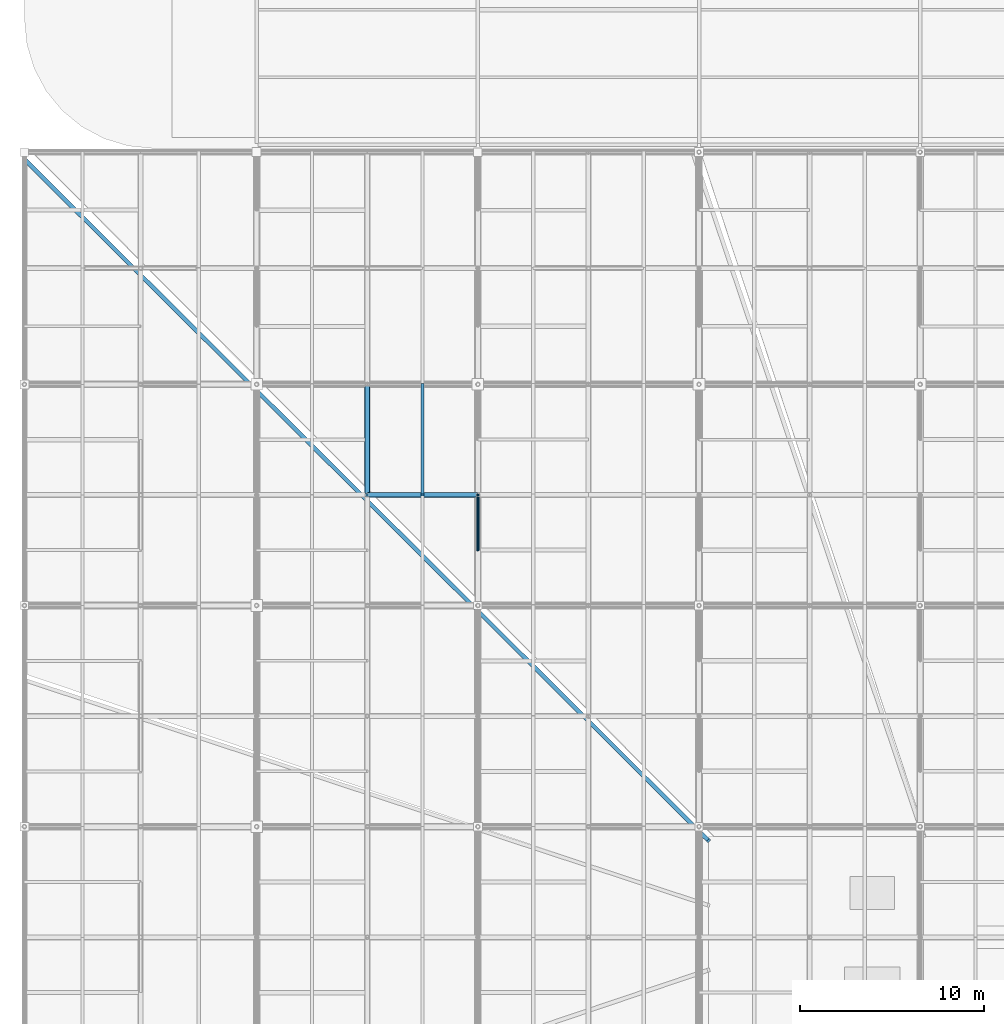
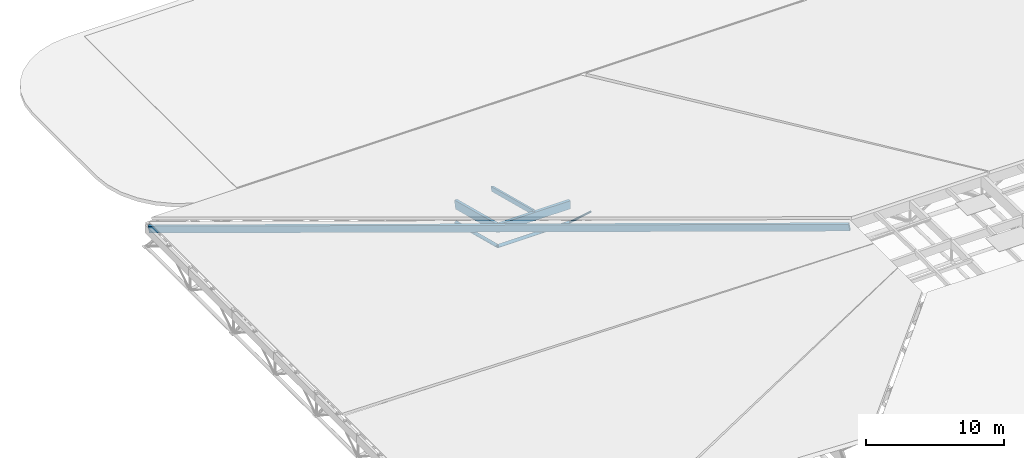
# One storey, part 49 of 80: 7 members.
"""IFC4 building model written with IfcOpenShell, lengths in metres."""

from ifc_helpers import new_model, si_unit, direction, frame, origin, origin_2d, place, context, subcontext, project, spatial, rectangle, hollow_circle, extrude, material, material_profile, profile_set, type_object, element, save


model = new_model("IFC4")

# Units and contexts
model_context = context("Model", 3, precision=1e-05, world=origin(), true_north=direction((0.0, 1.0)))
body_context = subcontext(model_context, "Body", "Model", "MODEL_VIEW")
ifc_project = project(units=[si_unit("LENGTHUNIT", "METRE"), si_unit("AREAUNIT", "SQUARE_METRE"), si_unit("VOLUMEUNIT", "CUBIC_METRE"), si_unit("PLANEANGLEUNIT", "RADIAN"), si_unit("MASSUNIT", "GRAM", prefix="KILO"), si_unit("THERMODYNAMICTEMPERATUREUNIT", "KELVIN"), si_unit("POWERUNIT", "WATT")], contexts=[model_context])

# Site, building, storey
site_placement = place(None, origin())
site = spatial("IfcSite", under=ifc_project, at=site_placement, CompositionType="ELEMENT")
building_placement = place(site_placement, origin())
building = spatial("IfcBuilding", under=site, at=building_placement, Name="Solmara Park Aquatics Centre", CompositionType="ELEMENT")
storey_placement = place(building_placement, frame((0.0, 0.0, 22.800048828125)))
storey = spatial("IfcBuildingStorey", under=building, at=storey_placement, Name="RF", CompositionType="ELEMENT", Elevation=22.800048828125)

# Members
ifc_material_1 = material(Name="Structural Steel S355", Category="steel")
ifc_material_profile_1 = material_profile(ifc_material_1, hollow_circle(Radius=0.084228515625, WallThickness=0.008056640625, at=origin_2d()), Name="CHS 168.3x8")
ifc_profile_set_1 = profile_set([ifc_material_profile_1], Name="Structural Steel S355")
member_type_1 = type_object("IfcMemberType", Name="STR-BRC-CHS168", PredefinedType="BRACE", material=ifc_profile_set_1)
member_1_placement = place(storey_placement, frame((24.60009765625, 66.60009765625, -9.58984375), z_axis=(0.0, -0.736437262703, 0.67650584484), x_axis=(1.0, 0.0, 0.0)))
element("IfcMember", 1, at=member_1_placement, inside=storey, type_object=member_type_1, Name="Roof Truss Web Diagonal Y 2098", PredefinedType="BRACE", context=body_context, shape_type="SweptSolid", body=[
    extrude(hollow_circle(Radius=0.084228515625, WallThickness=0.008056640625, at=origin_2d()), origin(), (0.0, 0.0, 1.0), 4.07373046875),
])
ifc_material_profile_2 = material_profile(ifc_material_1, hollow_circle(Radius=0.136474609375, WallThickness=0.012451171875, at=origin_2d()), Name="CHS 273x12.5")
ifc_profile_set_2 = profile_set([ifc_material_profile_2], Name="Structural Steel S355")
member_type_2 = type_object("IfcMemberType", Name="STR-CHD-CHS273", PredefinedType="CHORD", material=ifc_profile_set_2)
member_2_placement = place(storey_placement, frame((18.60009765625, 66.60009765625, -9.58984375), z_axis=(1.0, 0.0, 0.0), x_axis=(0.0, 1.0, 0.0)))
element("IfcMember", 2, at=member_2_placement, inside=storey, type_object=member_type_2, Name="Steel Roof Truss Bottom Chord X 0404", PredefinedType="CHORD", context=body_context, shape_type="SweptSolid", body=[
    extrude(hollow_circle(Radius=0.136474609375, WallThickness=0.012451171875, at=origin_2d()), origin(), (0.0, 0.0, 1.0), 6.0),
])
member_3_placement = place(storey_placement, frame((18.60009765625, 66.60009765625, -9.58984375), z_axis=(0.0, 0.968155143395, -0.250350990246), x_axis=(-1.0, 0.0, 0.0)))
element("IfcMember", 3, at=member_3_placement, inside=storey, type_object=member_type_2, Name="Steel Roof Truss Bottom Chord Y 0648", PredefinedType="CHORD", context=body_context, shape_type="SweptSolid", body=[
    extrude(hollow_circle(Radius=0.136474609375, WallThickness=0.012451171875, at=origin_2d()), origin(), (0.0, 0.0, 1.0), 6.197265625),
])
ifc_material_2 = material(Name="Glulam Timber GL28h", Category="wood")
ifc_material_profile_3 = material_profile(ifc_material_2, rectangle(XDim=0.239990234375, YDim=0.719970703125, at=origin_2d()), Name="GL28h 240x720")
ifc_profile_set_3 = profile_set([ifc_material_profile_3], Name="Glulam Timber GL28h")
member_type_3 = type_object("IfcMemberType", Name="STR-CHD-GL240x720", PredefinedType="CHORD", material=ifc_profile_set_3)
member_4_placement = place(storey_placement, frame((18.60009765625, 66.60009765625, -7.9697265625), z_axis=(1.0, 0.0, 0.0), x_axis=(0.0, 1.0, 0.0)))
element("IfcMember", 4, at=member_4_placement, inside=storey, type_object=member_type_3, Name="Glulam Roof Truss Top Chord X 0403", PredefinedType="CHORD", context=body_context, shape_type="SweptSolid", body=[
    extrude(rectangle(XDim=0.239990234375, YDim=0.719970703125, at=origin_2d()), origin(), (0.0, 0.0, 1.0), 6.0),
])
member_5_placement = place(storey_placement, frame((18.60009765625, 66.60009765625, -7.9697265625), z_axis=(0.0, 0.968145594442, -0.250387914969), x_axis=(-1.0, 0.0, 0.0)))
element("IfcMember", 5, at=member_5_placement, inside=storey, type_object=member_type_3, Name="Glulam Roof Truss Top Chord Y 0647", PredefinedType="CHORD", context=body_context, shape_type="SweptSolid", body=[
    extrude(rectangle(XDim=0.239990234375, YDim=0.719970703125, at=origin_2d()), origin(), (0.0, 0.0, 1.0), 6.197509765625),
])
ifc_material_profile_4 = material_profile(ifc_material_2, rectangle(XDim=0.179931640625, YDim=0.39990234375, at=origin_2d()), Name="GL28h 180x400")
ifc_profile_set_4 = profile_set([ifc_material_profile_4], Name="Glulam Timber GL28h")
member_type_4 = type_object("IfcMemberType", Name="STR-PRL-GL180x400", PredefinedType="PURLIN", material=ifc_profile_set_4)
member_6_placement = place(storey_placement, frame((21.60009765625, 66.60009765625, -7.649658203125), z_axis=(0.0, 0.968145594442, -0.250387914969), x_axis=(-1.0, 0.0, 0.0)))
element("IfcMember", 6, at=member_6_placement, inside=storey, type_object=member_type_4, Name="Glulam Roof Purlin 1432", PredefinedType="PURLIN", context=body_context, shape_type="SweptSolid", body=[
    extrude(rectangle(XDim=0.179931640625, YDim=0.39990234375, at=origin_2d()), origin(), (0.0, 0.0, 1.0), 6.197509765625),
])
ifc_material_profile_5 = material_profile(ifc_material_2, rectangle(XDim=0.219970703125, YDim=0.60009765625, at=origin_2d()), Name="GL28h 220x600")
ifc_profile_set_5 = profile_set([ifc_material_profile_5], Name="Glulam Timber GL28h")
member_type_5 = type_object("IfcMemberType", Name="STR-RFT-GL220x600", PredefinedType="RAFTER", material=ifc_profile_set_5)
member_7_placement = place(storey_placement, frame((0.0, 84.810546875, -12.60009765625), z_axis=(0.696920666161, -0.694129206546, 0.18023936778), x_axis=(0.705686388875, 0.708524326016, 0.0)))
element("IfcMember", 7, at=member_7_placement, inside=storey, type_object=member_type_5, Name="Glulam Hip Jack Rafter WEST-1", PredefinedType="RAFTER", context=body_context, shape_type="SweptSolid", body=[
    extrude(rectangle(XDim=0.219970703125, YDim=0.60009765625, at=origin_2d()), origin(), (0.0, 0.0, 1.0), 53.262939453125),
])

save(model, "model.ifc")
